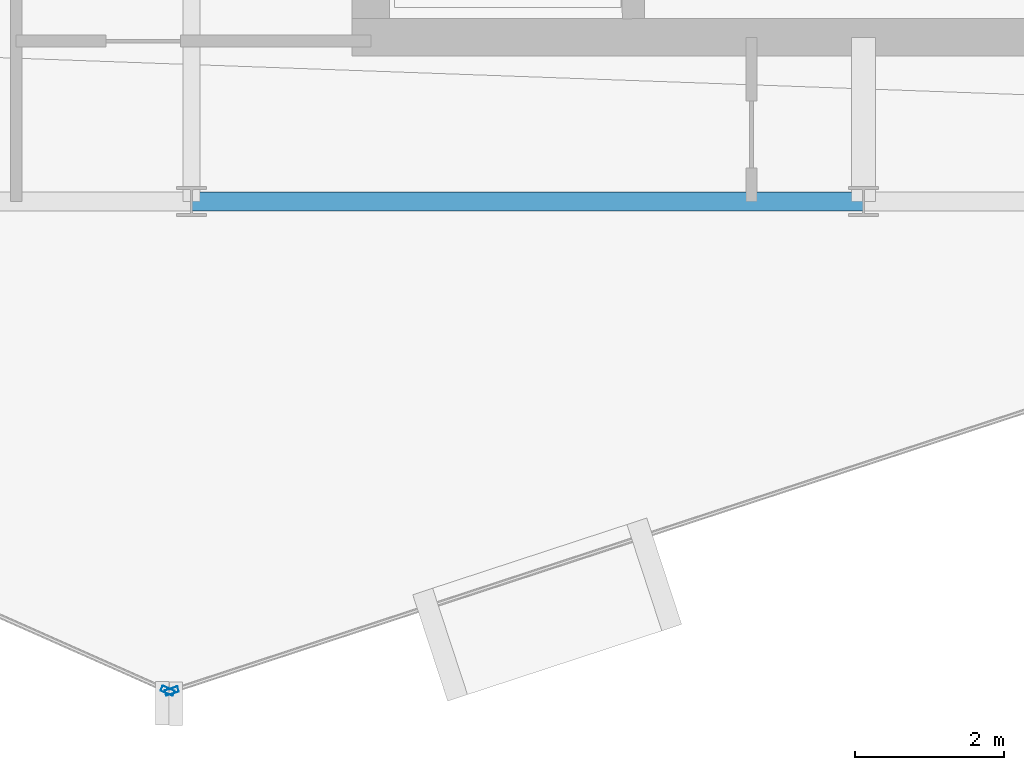
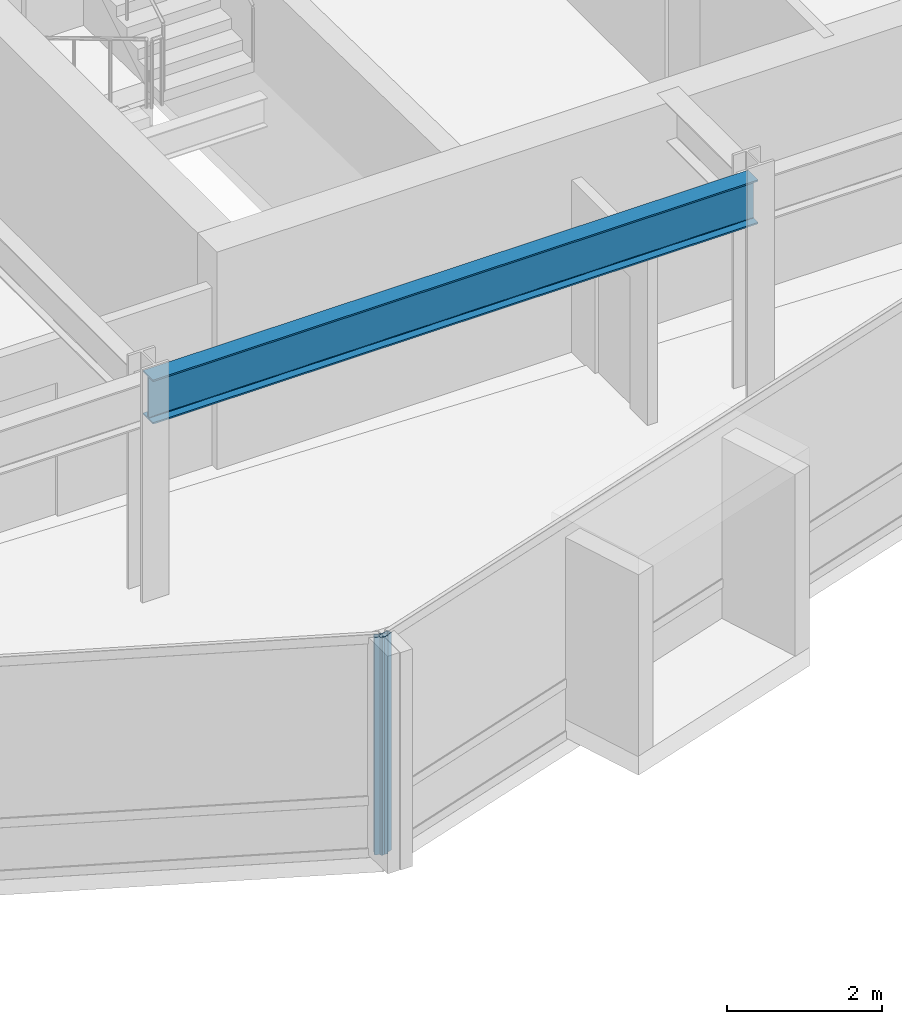
# One storey, part 4 of 28: 2 members, 1 beam, 2 elements without a shape of their own.
"""IFC4 building model written with IfcOpenShell, lengths in metres."""

from ifc_helpers import new_model, si_unit, direction, frame, origin, origin_2d, place, context, subcontext, project, spatial, hollow_rectangle, i_section, extrude, material, layer, layer_set, material_profile, profile_set, type_object, element, aggregate, save


model = new_model("IFC4")

# Units and contexts
model_context = context("Model", 3, precision=1e-05, world=origin(), true_north=direction((0.0, 1.0)))
body_context = subcontext(model_context, "Body", "Model", "MODEL_VIEW")
ifc_project = project(units=[si_unit("LENGTHUNIT", "METRE"), si_unit("AREAUNIT", "SQUARE_METRE"), si_unit("VOLUMEUNIT", "CUBIC_METRE"), si_unit("PLANEANGLEUNIT", "RADIAN"), si_unit("MASSUNIT", "GRAM", prefix="KILO")], contexts=[model_context])

# Site, building, storey
site_placement = place(None, origin())
site = spatial("IfcSite", under=ifc_project, at=site_placement, CompositionType="ELEMENT")
building_placement = place(site_placement, origin())
building = spatial("IfcBuilding", under=site, at=building_placement, Name="Solvaryn Broadcast Tower", CompositionType="ELEMENT")
storey_placement = place(building_placement, frame((0.0, 0.0, 213.60009765625)))
storey = spatial("IfcBuildingStorey", under=building, at=storey_placement, Name="L53", CompositionType="ELEMENT", Elevation=213.60009765625)

# Beam
ifc_material_1 = material(Name="Steel ASTM A992 Grade 50", Category="steel")
ifc_material_profile_1 = material_profile(ifc_material_1, i_section(OverallWidth=0.256103515625, OverallDepth=0.693115234375, WebThickness=0.014404296875, FlangeThickness=0.023681640625, FilletRadius=0.01611328125, at=origin_2d()))
ifc_profile_set_1 = profile_set([ifc_material_profile_1], Name="Steel ASTM A992 Grade 50")
beam_type = type_object("IfcBeamType", Name="BM-SP3-W27X114", PredefinedType="USERDEFINED", material=ifc_profile_set_1)
beam_placement = place(storey_placement, frame((27.0, 9.0, 3.073486328125), z_axis=(1.0, 0.0, 0.0), x_axis=(0.0, 1.0, 0.0)))
element("IfcBeam", 1, at=beam_placement, inside=storey, type_object=beam_type, Name="L53 Spandrel Beam X (27-36 @ Y=9)", ObjectType="SPANDREL", PredefinedType="USERDEFINED", context=body_context, shape_type="SweptSolid", body=[
    extrude(i_section(OverallWidth=0.256103515625, OverallDepth=0.693115234375, WebThickness=0.014404296875, FlangeThickness=0.023681640625, FilletRadius=0.01611328125, at=origin_2d()), origin(), (0.0, 0.0, 1.0), 9.0),
])

# Curtain wall, member
ifc_material_2 = material(Name="Aluminium and Terracotta Unitised Curtain Wall", Category="masonry")
ifc_layer = layer(ifc_material_2, 0.199951171875)
ifc_layer_set = layer_set([ifc_layer], Name="CW-SYS2-LOWMID")
curtain_wall_type = type_object("IfcCurtainWallType", Name="CW-SYS2-LOWMID", PredefinedType="NOTDEFINED", material=ifc_layer_set)
curtain_wall_1_placement = place(storey_placement, origin())
curtain_wall_1 = element("IfcCurtainWall", 2, at=curtain_wall_1_placement, inside=storey, type_object=curtain_wall_type, Name="L53 Curtain Wall DR3", PredefinedType="NOTDEFINED")
ifc_material_3 = material(Name="Anodised Aluminium 6063-T6", Category="aluminium")
ifc_material_profile_2 = material_profile(ifc_material_3, hollow_rectangle(XDim=0.074951171875, YDim=0.179931640625, WallThickness=0.00390625, InnerFilletRadius=0.00390625, OuterFilletRadius=0.008056640625, at=origin_2d()))
ifc_profile_set_2 = profile_set([ifc_material_profile_2], Name="Anodised Aluminium 6063-T6")
member_type = type_object("IfcMemberType", Name="CW-MUL-180", PredefinedType="MULLION", material=ifc_profile_set_2)
member_1_placement = place(storey_placement, frame((26.678466796875, 2.445068359375, 0.0), z_axis=(0.0, 0.0, 1.0), x_axis=(0.405901337237, 0.913916902365, 0.0)))
member_1 = element("IfcMember", 3, at=member_1_placement, type_object=member_type, Name="CWS2 mullion 2", PredefinedType="MULLION", context=body_context, shape_type="SweptSolid", body=[
    extrude(hollow_rectangle(XDim=0.074951171875, YDim=0.179931640625, WallThickness=0.00390625, InnerFilletRadius=0.00390625, OuterFilletRadius=0.008056640625, at=origin_2d()), origin(), (0.0, 0.0, 1.0), 3.419921875),
])
aggregate(curtain_wall_1, [member_1])

curtain_wall_2_placement = place(storey_placement, origin())
curtain_wall_2 = element("IfcCurtainWall", 4, at=curtain_wall_2_placement, inside=storey, type_object=curtain_wall_type, Name="L53 Curtain Wall DR4", PredefinedType="NOTDEFINED")
member_2_placement = place(storey_placement, frame((26.734619140625, 2.4423828125, 0.0), z_axis=(0.0, 0.0, 1.0), x_axis=(-0.311558717623, 0.950226902099, 0.0)))
member_2 = element("IfcMember", 5, at=member_2_placement, type_object=member_type, Name="CWS2 mullion 1", PredefinedType="MULLION", context=body_context, shape_type="SweptSolid", body=[
    extrude(hollow_rectangle(XDim=0.074951171875, YDim=0.179931640625, WallThickness=0.00390625, InnerFilletRadius=0.00390625, OuterFilletRadius=0.008056640625, at=origin_2d()), origin(), (0.0, 0.0, 1.0), 3.419921875),
])
aggregate(curtain_wall_2, [member_2])

save(model, "model.ifc")
